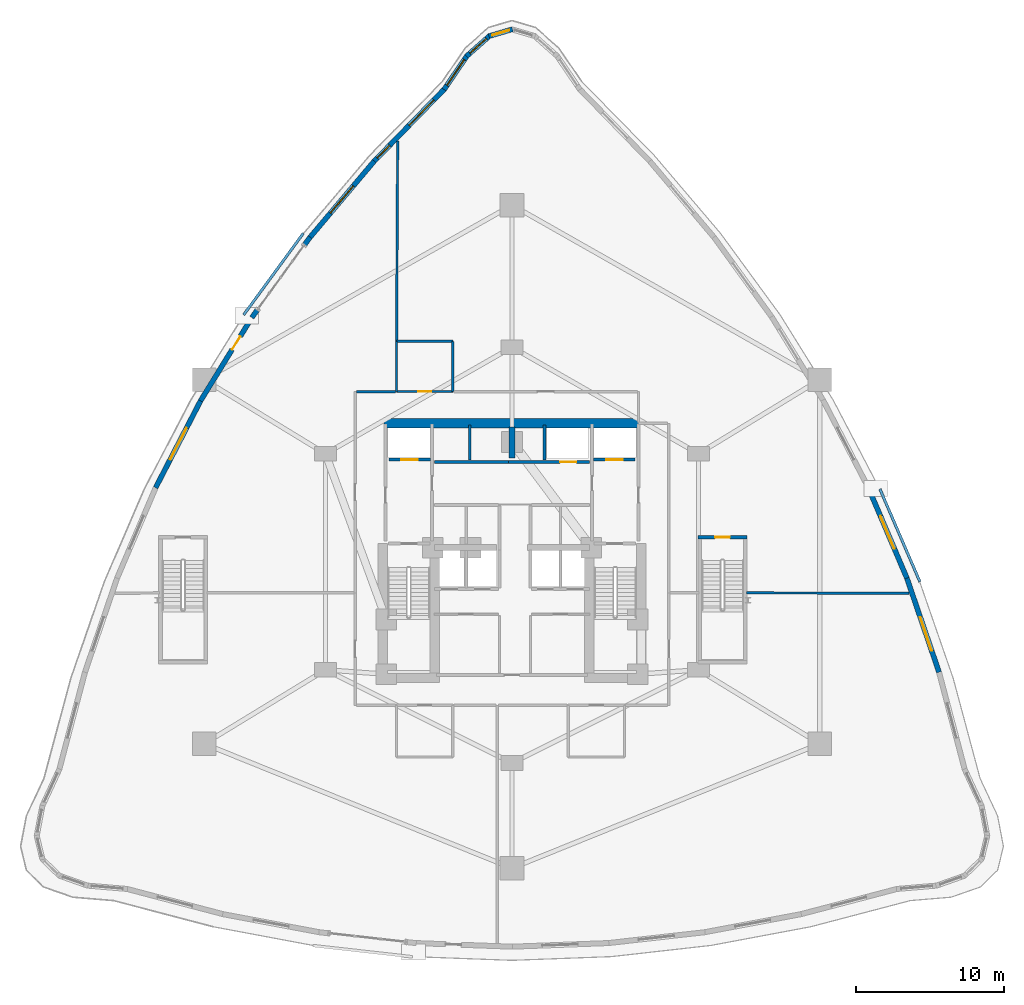
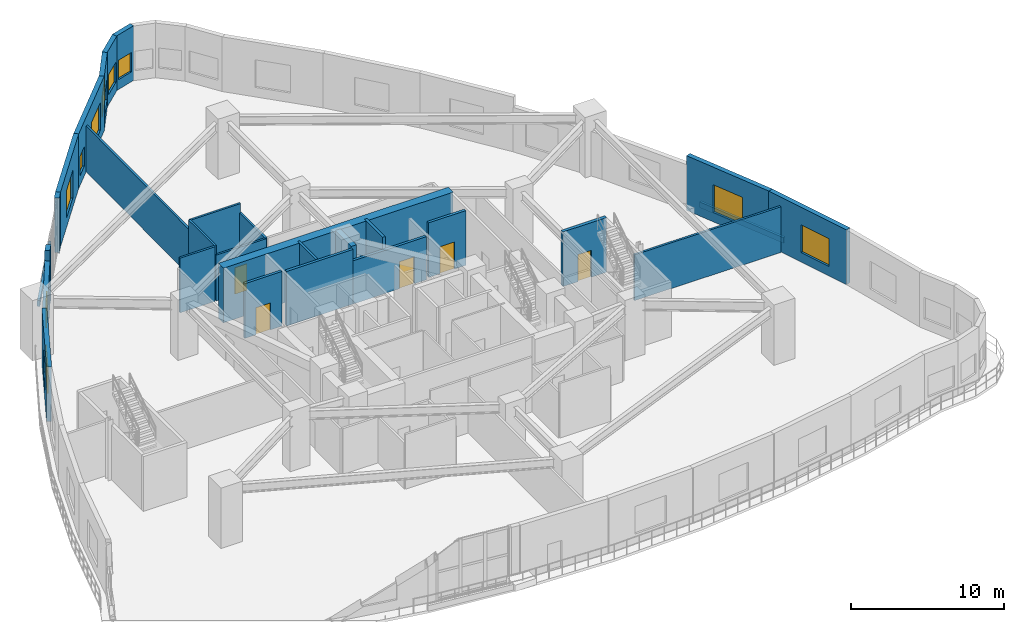
# One storey, part 14 of 19: 29 walls, 9 windows, 6 doors, 15 openings.
"""IFC4 building model written with IfcOpenShell, lengths in metres."""

from ifc_helpers import new_model, si_unit, direction, frame, frame_2d, origin, place, context, subcontext, project, spatial, rectangle, extrude, material, layer, layer_set, type_object, element, fill, save


model = new_model("IFC4")

# Units and contexts
model_context = context("Model", 3, precision=1e-05, world=origin(), true_north=direction((0.0, 1.0)))
body_context = subcontext(model_context, "Body", "Model", "MODEL_VIEW")
ifc_project = project(units=[si_unit("LENGTHUNIT", "METRE"), si_unit("AREAUNIT", "SQUARE_METRE"), si_unit("VOLUMEUNIT", "CUBIC_METRE"), si_unit("PLANEANGLEUNIT", "RADIAN"), si_unit("MASSUNIT", "GRAM", prefix="KILO")], contexts=[model_context])

# Site, building, storey
site_placement = place(None, origin())
site = spatial("IfcSite", under=ifc_project, at=site_placement, CompositionType="ELEMENT")
building_placement = place(site_placement, origin())
building = spatial("IfcBuilding", under=site, at=building_placement, Name="Miruveldt Soraemaru", CompositionType="ELEMENT")
storey_placement = place(building_placement, frame((0.0, 0.0, 19.199951171875)))
storey = spatial("IfcBuildingStorey", under=building, at=storey_placement, Name="L05", CompositionType="ELEMENT", Elevation=19.199951171875)

# Wall
ifc_material_1 = material(Name="Concrete C70/85 (70 MPa)", Category="concrete")
ifc_layer_1 = layer(ifc_material_1, 0.5, Name="Concrete C70/85 (70 MPa)", Category="concrete")
ifc_layer_set_1 = layer_set([ifc_layer_1], Name="Concrete C70/85 (70 MPa)")
wall_type_1 = type_object("IfcWallType", Name="WALL-BW-500", PredefinedType="SHEAR", material=ifc_layer_set_1)
wall_1_placement = place(storey_placement, frame((44.0, 50.10009765625, 0.0), z_axis=(0.0, 0.0, 1.0), x_axis=(0.0, 1.0, 0.0)))
element("IfcWall", 1, at=wall_1_placement, inside=storey, type_object=wall_type_1, Name="L05 Core Buttress Shear Wall BN", PredefinedType="SHEAR", context=body_context, shape_type="SweptSolid", body=[
    extrude(rectangle(XDim=2.099853515625, YDim=0.39990234375, at=frame_2d((1.0498046875, 0.0))), origin(), (0.0, 0.0, 1.0), 4.35009765625),
])

# Wall, opening, door
ifc_material_2 = material(Name="Concrete C50/60 (50 MPa)", Category="concrete")
ifc_layer_2 = layer(ifc_material_2, 0.419921875, Name="Concrete C50/60 (50 MPa)", Category="concrete")
ifc_layer_set_2 = layer_set([ifc_layer_2], Name="Concrete C50/60 (50 MPa)")
wall_type_2 = type_object("IfcWallType", Name="WALL-CW-420", PredefinedType="SHEAR", material=ifc_layer_set_2)
wall_2_placement = place(storey_placement, frame((56.580078125, 44.75, 0.0), z_axis=(0.0, 0.0, 1.0), x_axis=(1.0, 0.0, 0.0)))
wall_2 = element("IfcWall", 2, at=wall_2_placement, inside=storey, type_object=wall_type_2, Name="L05 Podium Garden Feature Stair ST-4 Structural Shaft Wall N", PredefinedType="SHEAR", context=body_context, shape_type="SweptSolid", body=[
    extrude(rectangle(XDim=3.2900390625, YDim=0.239990234375, at=frame_2d((1.64501953125, 0.0))), origin(), (0.0, 0.0, 1.0), 4.35009765625),
])
opening_1_placement = place(wall_2_placement, frame((1.14501953125, 0.0, 0.0)))
opening_1 = element("IfcOpeningElement", 3, at=opening_1_placement, cuts=wall_2, Name="Opening FD1", PredefinedType="OPENING", context=body_context, shape_type="SweptSolid", body=[
    extrude(rectangle(XDim=1.0, YDim=2.14990234375, at=frame_2d((0.5, 1.074951171875))), frame((0.0, 0.1298828125, 0.0), z_axis=(0.0, -1.0, 0.0), x_axis=(1.0, 0.0, 0.0)), (0.0, 0.0, 1.0), 0.260009765625),
])
ifc_material_3 = material(Name="Anodised aluminium EN AW-6063 T6", Category="aluminium")
door_type_1 = type_object("IfcDoorType", Name="DOOR-FD1-1000", OperationType="NOTDEFINED", PredefinedType="DOOR", material=ifc_material_3)
door_1_placement = place(opening_1_placement, frame((1.0, 0.0, 0.0), z_axis=(0.0, 0.0, 1.0), x_axis=(-1.0, 0.0, 0.0)))
door_1 = element("IfcDoor", 4, at=door_1_placement, inside=storey, type_object=door_type_1, Name="L05 Podium Garden Feature Stair ST-4 Fire Door", OperationType="SINGLE_SWING_LEFT", OverallHeight=2.14990234375, OverallWidth=1.0, PredefinedType="DOOR", context=body_context, shape_type="SweptSolid", body=[
    extrude(rectangle(XDim=1.0, YDim=2.14990234375, at=frame_2d((0.5, 1.074951171875))), frame((0.0, 0.02490234375, 0.0), z_axis=(0.0, -1.0, 0.0), x_axis=(1.0, 0.0, 0.0)), (0.0, 0.0, 1.0), 0.050048828125),
])
fill(opening_1, door_1)

# Wall
ifc_material_4 = material(Name="Concrete C80/95 (80 MPa)", Category="concrete")
ifc_layer_3 = layer(ifc_material_4, 0.64990234375, Name="Concrete C80/95 (80 MPa)", Category="concrete")
ifc_layer_set_3 = layer_set([ifc_layer_3], Name="Concrete C80/95 (80 MPa)")
wall_type_3 = type_object("IfcWallType", Name="WALL-CW-650", PredefinedType="SHEAR", material=ifc_layer_set_3)
wall_3_placement = place(storey_placement, frame((35.35009765625, 52.449951171875, 0.0), z_axis=(0.0, 0.0, 1.0), x_axis=(1.0, 0.0, 0.0)))
element("IfcWall", 5, at=wall_3_placement, inside=storey, type_object=wall_type_3, Name="L05 Central Core Shear Wall N", PredefinedType="SHEAR", context=body_context, shape_type="SweptSolid", body=[
    extrude(rectangle(XDim=17.2998046875, YDim=0.64990234375, at=frame_2d((8.64990234375, 0.0))), origin(), (0.0, 0.0, 1.0), 4.35009765625),
])

# Wall, opening, window
ifc_material_5 = material(Name="Precast concrete C45/55 (45 MPa)", Category="concrete")
ifc_layer_4 = layer(ifc_material_5, 0.340087890625, Name="Precast concrete C45/55 (45 MPa)", Category="concrete")
ifc_layer_set_4 = layer_set([ifc_layer_4], Name="Precast concrete C45/55 (45 MPa)")
wall_type_4 = type_object("IfcWallType", Name="WALL-EXT-PC340", PredefinedType="SOLIDWALL", material=ifc_layer_set_4)
wall_4_placement = place(storey_placement, frame((44.03369140625, 79.084228515625, 0.0), z_axis=(0.0, 0.0, 1.0), x_axis=(-0.959264639045, -0.282509030437, 0.0)))
wall_4 = element("IfcWall", 6, at=wall_4_placement, inside=storey, type_object=wall_type_4, Name="L05 Precast Concrete Facade Wall 4", PredefinedType="SOLIDWALL", context=body_context, shape_type="SweptSolid", body=[
    extrude(rectangle(XDim=1.658447265625, YDim=0.340087890625, at=frame_2d((0.8291015625, 0.0))), origin(), (0.0, 0.0, 1.0), 4.35009765625),
])
opening_2_placement = place(wall_4_placement, frame((0.22900390625, 0.0, 0.780029296875)))
opening_2 = element("IfcOpeningElement", 7, at=opening_2_placement, cuts=wall_4, Name="Opening WN-4", PredefinedType="OPENING", context=body_context, shape_type="SweptSolid", body=[
    extrude(rectangle(XDim=1.199951171875, YDim=1.550048828125, at=frame_2d((0.60009765625, 0.77490234375))), frame((0.0, 0.18017578125, 0.0), z_axis=(0.0, -1.0, 0.0), x_axis=(1.0, 0.0, 0.0)), (0.0, 0.0, 1.0), 0.360107421875),
])
ifc_material_6 = material(Name="Triple low-e insulated glazing", Category="glass")
window_type_1 = type_object("IfcWindowType", Name="WIN-PUNCH-1200x1550", PartitioningType="SINGLE_PANEL", PredefinedType="WINDOW", material=ifc_material_6)
window_1_placement = place(opening_2_placement, origin())
window_1 = element("IfcWindow", 8, at=window_1_placement, inside=storey, type_object=window_type_1, Name="L05 Punched Triple-Glazed Window 04.1", OverallHeight=1.550048828125, OverallWidth=1.199951171875, PartitioningType="SINGLE_PANEL", PredefinedType="WINDOW", context=body_context, shape_type="SweptSolid", body=[
    extrude(rectangle(XDim=1.199951171875, YDim=1.550048828125, at=frame_2d((0.60009765625, 0.77490234375))), frame((0.0, 0.030029296875, 0.0), z_axis=(0.0, -1.0, 0.0), x_axis=(1.0, 0.0, 0.0)), (0.0, 0.0, 1.0), 0.06005859375),
])
fill(opening_2, window_1)

wall_5_placement = place(storey_placement, frame((42.502685546875, 78.64892578125, 0.0), z_axis=(0.0, 0.0, 1.0), x_axis=(-0.749461691661, -0.662047711825, 0.0)))
wall_5 = element("IfcWall", 9, at=wall_5_placement, inside=storey, type_object=wall_type_4, Name="L05 Precast Concrete Facade Wall 5", PredefinedType="SOLIDWALL", context=body_context, shape_type="SweptSolid", body=[
    extrude(rectangle(XDim=2.10302734375, YDim=0.340087890625, at=frame_2d((1.051513671875, 0.0))), origin(), (0.0, 0.0, 1.0), 4.35009765625),
])
opening_3_placement = place(wall_5_placement, frame((0.302001953125, 0.0, 0.800048828125)))
opening_3 = element("IfcOpeningElement", 10, at=opening_3_placement, cuts=wall_5, Name="Opening WN-3", PredefinedType="OPENING", context=body_context, shape_type="SweptSolid", body=[
    extrude(rectangle(XDim=1.5, YDim=1.60009765625, at=frame_2d((0.75, 0.800048828125))), frame((0.0, 0.18017578125, 0.0), z_axis=(0.0, -1.0, 0.0), x_axis=(1.0, 0.0, 0.0)), (0.0, 0.0, 1.0), 0.360107421875),
])
window_type_2 = type_object("IfcWindowType", Name="WIN-PUNCH-1500x1600", PartitioningType="SINGLE_PANEL", PredefinedType="WINDOW", material=ifc_material_6)
window_2_placement = place(opening_3_placement, origin())
window_2 = element("IfcWindow", 11, at=window_2_placement, inside=storey, type_object=window_type_2, Name="L05 Punched Triple-Glazed Window 05.1", OverallHeight=1.60009765625, OverallWidth=1.5, PartitioningType="SINGLE_PANEL", PredefinedType="WINDOW", context=body_context, shape_type="SweptSolid", body=[
    extrude(rectangle(XDim=1.5, YDim=1.60009765625, at=frame_2d((0.75, 0.800048828125))), frame((0.0, 0.030029296875, 0.0), z_axis=(0.0, -1.0, 0.0), x_axis=(1.0, 0.0, 0.0)), (0.0, 0.0, 1.0), 0.06005859375),
])
fill(opening_3, window_2)

wall_6_placement = place(storey_placement, frame((40.972412109375, 77.308837890625, 0.0), z_axis=(0.0, 0.0, 1.0), x_axis=(-0.561889834633, -0.827212073011, 0.0)))
wall_6 = element("IfcWall", 12, at=wall_6_placement, inside=storey, type_object=wall_type_4, Name="L05 Precast Concrete Facade Wall 6", PredefinedType="SOLIDWALL", context=body_context, shape_type="SweptSolid", body=[
    extrude(rectangle(XDim=2.78173828125, YDim=0.340087890625, at=frame_2d((1.390869140625, 0.0))), origin(), (0.0, 0.0, 1.0), 4.35009765625),
])
opening_4_placement = place(wall_6_placement, frame((0.341064453125, 0.0, 0.800048828125)))
opening_4 = element("IfcOpeningElement", 13, at=opening_4_placement, cuts=wall_6, Name="Opening WN-1", PredefinedType="OPENING", context=body_context, shape_type="SweptSolid", body=[
    extrude(rectangle(XDim=2.10009765625, YDim=1.699951171875, at=frame_2d((1.050048828125, 0.85009765625))), frame((0.0, 0.18017578125, 0.0), z_axis=(0.0, -1.0, 0.0), x_axis=(1.0, 0.0, 0.0)), (0.0, 0.0, 1.0), 0.360107421875),
])
window_type_3 = type_object("IfcWindowType", Name="WIN-PUNCH-2100x1700", PartitioningType="SINGLE_PANEL", PredefinedType="WINDOW", material=ifc_material_6)
window_3_placement = place(opening_4_placement, origin())
window_3 = element("IfcWindow", 14, at=window_3_placement, inside=storey, type_object=window_type_3, Name="L05 Punched Triple-Glazed Window 06.1", OverallHeight=1.699951171875, OverallWidth=2.10009765625, PartitioningType="SINGLE_PANEL", PredefinedType="WINDOW", context=body_context, shape_type="SweptSolid", body=[
    extrude(rectangle(XDim=2.10009765625, YDim=1.699951171875, at=frame_2d((1.050048828125, 0.85009765625))), frame((0.0, 0.030029296875, 0.0), z_axis=(0.0, -1.0, 0.0), x_axis=(1.0, 0.0, 0.0)), (0.0, 0.0, 1.0), 0.06005859375),
])
fill(opening_4, window_3)

# Wall, openings, windows
wall_7_placement = place(storey_placement, frame((39.45361328125, 75.061767578125, 0.0), z_axis=(0.0, 0.0, 1.0), x_axis=(-0.697411972143, -0.716670455029, 0.0)))
wall_7 = element("IfcWall", 15, at=wall_7_placement, inside=storey, type_object=wall_type_4, Name="L05 Precast Concrete Facade Wall 7", PredefinedType="SOLIDWALL", context=body_context, shape_type="SweptSolid", body=[
    extrude(rectangle(XDim=6.896240234375, YDim=0.340087890625, at=frame_2d((3.4482421875, 0.0))), origin(), (0.0, 0.0, 1.0), 4.35009765625),
])
opening_5_placement = place(wall_7_placement, frame((1.052978515625, 0.0, 0.75)))
opening_5 = element("IfcOpeningElement", 16, at=opening_5_placement, cuts=wall_7, Name="Opening WN-5", PredefinedType="OPENING", context=body_context, shape_type="SweptSolid", body=[
    extrude(rectangle(XDim=2.39990234375, YDim=2.199951171875, at=frame_2d((1.199951171875, 1.10009765625))), frame((0.0, 0.18017578125, 0.0), z_axis=(0.0, -1.0, 0.0), x_axis=(1.0, 0.0, 0.0)), (0.0, 0.0, 1.0), 0.360107421875),
])
opening_6_placement = place(wall_7_placement, frame((5.341064453125, 0.0, 0.780029296875)))
opening_6 = element("IfcOpeningElement", 17, at=opening_6_placement, cuts=wall_7, Name="Opening WN-4", PredefinedType="OPENING", context=body_context, shape_type="SweptSolid", body=[
    extrude(rectangle(XDim=1.199951171875, YDim=1.550048828125, at=frame_2d((0.60009765625, 0.77490234375))), frame((0.0, 0.18017578125, 0.0), z_axis=(0.0, -1.0, 0.0), x_axis=(1.0, 0.0, 0.0)), (0.0, 0.0, 1.0), 0.360107421875),
])
window_type_4 = type_object("IfcWindowType", Name="WIN-PODM-2400x2200", PartitioningType="SINGLE_PANEL", PredefinedType="WINDOW", material=ifc_material_6)
window_4_placement = place(opening_5_placement, origin())
window_4 = element("IfcWindow", 18, at=window_4_placement, inside=storey, type_object=window_type_4, Name="L05 Punched Triple-Glazed Window 07.1", OverallHeight=2.199951171875, OverallWidth=2.39990234375, PartitioningType="SINGLE_PANEL", PredefinedType="WINDOW", context=body_context, shape_type="SweptSolid", body=[
    extrude(rectangle(XDim=2.39990234375, YDim=2.199951171875, at=frame_2d((1.199951171875, 1.10009765625))), frame((0.0, 0.030029296875, 0.0), z_axis=(0.0, -1.0, 0.0), x_axis=(1.0, 0.0, 0.0)), (0.0, 0.0, 1.0), 0.06005859375),
])
fill(opening_5, window_4)
window_5_placement = place(opening_6_placement, origin())
window_5 = element("IfcWindow", 19, at=window_5_placement, inside=storey, type_object=window_type_1, Name="L05 Punched Triple-Glazed Window 07.2", OverallHeight=1.550048828125, OverallWidth=1.199951171875, PartitioningType="SINGLE_PANEL", PredefinedType="WINDOW", context=body_context, shape_type="SweptSolid", body=[
    extrude(rectangle(XDim=1.199951171875, YDim=1.550048828125, at=frame_2d((0.60009765625, 0.77490234375))), frame((0.0, 0.030029296875, 0.0), z_axis=(0.0, -1.0, 0.0), x_axis=(1.0, 0.0, 0.0)), (0.0, 0.0, 1.0), 0.06005859375),
])
fill(opening_6, window_5)

# Wall, opening, window
wall_8_placement = place(storey_placement, frame((34.691162109375, 70.17138671875, 0.0), z_axis=(0.0, 0.0, 1.0), x_axis=(-0.64454325071, -0.764567850465, 0.0)))
wall_8 = element("IfcWall", 20, at=wall_8_placement, inside=storey, type_object=wall_type_4, Name="L05 Precast Concrete Facade Wall 8", PredefinedType="SOLIDWALL", context=body_context, shape_type="SweptSolid", body=[
    extrude(rectangle(XDim=6.787841796875, YDim=0.340087890625, at=frame_2d((3.39404296875, 0.0))), origin(), (0.0, 0.0, 1.0), 4.35009765625),
])
opening_7_placement = place(wall_8_placement, frame((2.194091796875, 0.0, 0.75)))
opening_7 = element("IfcOpeningElement", 21, at=opening_7_placement, cuts=wall_8, Name="Opening WN-5", PredefinedType="OPENING", context=body_context, shape_type="SweptSolid", body=[
    extrude(rectangle(XDim=2.39990234375, YDim=2.199951171875, at=frame_2d((1.199951171875, 1.10009765625))), frame((0.0, 0.18017578125, 0.0), z_axis=(0.0, -1.0, 0.0), x_axis=(1.0, 0.0, 0.0)), (0.0, 0.0, 1.0), 0.360107421875),
])
window_6_placement = place(opening_7_placement, origin())
window_6 = element("IfcWindow", 22, at=window_6_placement, inside=storey, type_object=window_type_4, Name="L05 Punched Triple-Glazed Window 08.1", OverallHeight=2.199951171875, OverallWidth=2.39990234375, PartitioningType="SINGLE_PANEL", PredefinedType="WINDOW", context=body_context, shape_type="SweptSolid", body=[
    extrude(rectangle(XDim=2.39990234375, YDim=2.199951171875, at=frame_2d((1.199951171875, 1.10009765625))), frame((0.0, 0.030029296875, 0.0), z_axis=(0.0, -1.0, 0.0), x_axis=(1.0, 0.0, 0.0)), (0.0, 0.0, 1.0), 0.06005859375),
])
fill(opening_7, window_6)

# Walls
wall_9_placement = place(storey_placement, frame((30.359130859375, 65.03662109375, 0.0), z_axis=(0.0, 0.0, 1.0), x_axis=(-0.586729168236, -0.809783232193, 0.0)))
element("IfcWall", 23, at=wall_9_placement, inside=storey, type_object=wall_type_4, Name="L05 Precast Pier Left 9", PredefinedType="SOLIDWALL", context=body_context, shape_type="SweptSolid", body=[
    extrude(rectangle(XDim=0.704833984375, YDim=0.340087890625, at=frame_2d((0.3525390625, 0.0))), origin(), (0.0, 0.0, 1.0), 4.35009765625),
])
wall_10_placement = place(storey_placement, frame((26.833251953125, 60.1708984375, 0.0), z_axis=(0.0, 0.0, 1.0), x_axis=(-0.586956222387, -0.809618671352, 0.0)))
element("IfcWall", 24, at=wall_10_placement, inside=storey, type_object=wall_type_4, Name="L05 Precast Pier Right 9", PredefinedType="SOLIDWALL", context=body_context, shape_type="SweptSolid", body=[
    extrude(rectangle(XDim=0.705078125, YDim=0.340087890625, at=frame_2d((0.3525390625, 0.0))), origin(), (0.0, 0.0, 1.0), 4.35009765625),
])

# Wall, opening, door
wall_11_placement = place(storey_placement, frame((26.45849609375, 59.658203125, 0.0), z_axis=(0.0, 0.0, 1.0), x_axis=(-0.524888702996, -0.851170869724, 0.0)))
wall_11 = element("IfcWall", 25, at=wall_11_placement, inside=storey, type_object=wall_type_4, Name="L05 Precast Concrete Facade Wall 10", PredefinedType="SOLIDWALL", context=body_context, shape_type="SweptSolid", body=[
    extrude(rectangle(XDim=6.677490234375, YDim=0.340087890625, at=frame_2d((3.3388671875, 0.0))), origin(), (0.0, 0.0, 1.0), 3.5380859375),
])
opening_8_placement = place(wall_11_placement, frame((1.56689453125, 0.0, 0.0)))
opening_8 = element("IfcOpeningElement", 26, at=opening_8_placement, cuts=wall_11, Name="Opening TD-1", PredefinedType="OPENING", context=body_context, shape_type="SweptSolid", body=[
    extrude(rectangle(XDim=1.050048828125, YDim=2.14990234375, at=frame_2d((0.52490234375, 1.074951171875))), frame((0.0, 0.18017578125, 0.0), z_axis=(0.0, -1.0, 0.0), x_axis=(1.0, 0.0, 0.0)), (0.0, 0.0, 1.0), 0.360107421875),
])
door_type_2 = type_object("IfcDoorType", Name="DOOR-TER-1050", OperationType="NOTDEFINED", PredefinedType="DOOR", material=ifc_material_3)
door_2_placement = place(opening_8_placement, frame((1.050048828125, 0.0, 0.0), z_axis=(0.0, 0.0, 1.0), x_axis=(-1.0, 0.0, 0.0)))
door_2 = element("IfcDoor", 27, at=door_2_placement, inside=storey, type_object=door_type_2, Name="L05 Terrace Access Glazed Door 10", OperationType="SINGLE_SWING_RIGHT", OverallHeight=2.14990234375, OverallWidth=1.050048828125, PredefinedType="DOOR", context=body_context, shape_type="SweptSolid", body=[
    extrude(rectangle(XDim=1.050048828125, YDim=2.14990234375, at=frame_2d((0.52490234375, 1.074951171875))), frame((0.0, 0.02490234375, 0.0), z_axis=(0.0, -1.0, 0.0), x_axis=(1.0, 0.0, 0.0)), (0.0, 0.0, 1.0), 0.050048828125),
])
fill(opening_8, door_2)

# Wall, opening, window
wall_12_placement = place(storey_placement, frame((22.98828125, 54.035400390625, 0.0), z_axis=(0.0, 0.0, 1.0), x_axis=(-0.459645718279, -0.88810236666, 0.0)))
wall_12 = element("IfcWall", 28, at=wall_12_placement, inside=storey, type_object=wall_type_4, Name="L05 Precast Concrete Facade Wall 11", PredefinedType="SOLIDWALL", context=body_context, shape_type="SweptSolid", body=[
    extrude(rectangle(XDim=6.677001953125, YDim=0.340087890625, at=frame_2d((3.33837890625, 0.0))), origin(), (0.0, 0.0, 1.0), 4.35009765625),
])
opening_9_placement = place(wall_12_placement, frame((2.137939453125, 0.0, 0.75)))
opening_9 = element("IfcOpeningElement", 29, at=opening_9_placement, cuts=wall_12, Name="Opening WN-5", PredefinedType="OPENING", context=body_context, shape_type="SweptSolid", body=[
    extrude(rectangle(XDim=2.39990234375, YDim=2.199951171875, at=frame_2d((1.199951171875, 1.10009765625))), frame((0.0, 0.18017578125, 0.0), z_axis=(0.0, -1.0, 0.0), x_axis=(1.0, 0.0, 0.0)), (0.0, 0.0, 1.0), 0.360107421875),
])
window_7_placement = place(opening_9_placement, origin())
window_7 = element("IfcWindow", 30, at=window_7_placement, inside=storey, type_object=window_type_4, Name="L05 Punched Triple-Glazed Window 11.1", OverallHeight=2.199951171875, OverallWidth=2.39990234375, PartitioningType="SINGLE_PANEL", PredefinedType="WINDOW", context=body_context, shape_type="SweptSolid", body=[
    extrude(rectangle(XDim=2.39990234375, YDim=2.199951171875, at=frame_2d((1.199951171875, 1.10009765625))), frame((0.0, 0.030029296875, 0.0), z_axis=(0.0, -1.0, 0.0), x_axis=(1.0, 0.0, 0.0)), (0.0, 0.0, 1.0), 0.06005859375),
])
fill(opening_9, window_7)

wall_13_placement = place(storey_placement, frame((72.85693359375, 35.635986328125, 0.0), z_axis=(0.0, 0.0, 1.0), x_axis=(-0.323760553486, 0.946139051095, 0.0)))
wall_13 = element("IfcWall", 31, at=wall_13_placement, inside=storey, type_object=wall_type_4, Name="L05 Precast Concrete Facade Wall 36", PredefinedType="SOLIDWALL", context=body_context, shape_type="SweptSolid", body=[
    extrude(rectangle(XDim=6.787353515625, YDim=0.340087890625, at=frame_2d((3.3935546875, 0.0))), origin(), (0.0, 0.0, 1.0), 4.35009765625),
])
opening_10_placement = place(wall_13_placement, frame((1.528076171875, 0.0, 0.75)))
opening_10 = element("IfcOpeningElement", 32, at=opening_10_placement, cuts=wall_13, Name="Opening WN-5", PredefinedType="OPENING", context=body_context, shape_type="SweptSolid", body=[
    extrude(rectangle(XDim=2.39990234375, YDim=2.199951171875, at=frame_2d((1.199951171875, 1.10009765625))), frame((0.0, 0.18017578125, 0.0), z_axis=(0.0, -1.0, 0.0), x_axis=(1.0, 0.0, 0.0)), (0.0, 0.0, 1.0), 0.360107421875),
])
window_8_placement = place(opening_10_placement, origin())
window_8 = element("IfcWindow", 33, at=window_8_placement, inside=storey, type_object=window_type_4, Name="L05 Punched Triple-Glazed Window 36.1", OverallHeight=2.199951171875, OverallWidth=2.39990234375, PartitioningType="SINGLE_PANEL", PredefinedType="WINDOW", context=body_context, shape_type="SweptSolid", body=[
    extrude(rectangle(XDim=2.39990234375, YDim=2.199951171875, at=frame_2d((1.199951171875, 1.10009765625))), frame((0.0, 0.030029296875, 0.0), z_axis=(0.0, -1.0, 0.0), x_axis=(1.0, 0.0, 0.0)), (0.0, 0.0, 1.0), 0.06005859375),
])
fill(opening_10, window_8)

wall_14_placement = place(storey_placement, frame((70.684326171875, 41.992431640625, 0.0), z_axis=(0.0, 0.0, 1.0), x_axis=(-0.392198319583, 0.919880686892, 0.0)))
wall_14 = element("IfcWall", 34, at=wall_14_placement, inside=storey, type_object=wall_type_4, Name="L05 Precast Concrete Facade Wall 37", PredefinedType="SOLIDWALL", context=body_context, shape_type="SweptSolid", body=[
    extrude(rectangle(XDim=6.714111328125, YDim=0.340087890625, at=frame_2d((3.35693359375, 0.0))), origin(), (0.0, 0.0, 1.0), 4.35009765625),
])
opening_11_placement = place(wall_14_placement, frame((2.156982421875, 0.0, 0.75)))
opening_11 = element("IfcOpeningElement", 35, at=opening_11_placement, cuts=wall_14, Name="Opening WN-5", PredefinedType="OPENING", context=body_context, shape_type="SweptSolid", body=[
    extrude(rectangle(XDim=2.39990234375, YDim=2.199951171875, at=frame_2d((1.199951171875, 1.10009765625))), frame((0.0, 0.18017578125, 0.0), z_axis=(0.0, -1.0, 0.0), x_axis=(1.0, 0.0, 0.0)), (0.0, 0.0, 1.0), 0.360107421875),
])
window_9_placement = place(opening_11_placement, origin())
window_9 = element("IfcWindow", 36, at=window_9_placement, inside=storey, type_object=window_type_4, Name="L05 Punched Triple-Glazed Window 37.1", OverallHeight=2.199951171875, OverallWidth=2.39990234375, PartitioningType="SINGLE_PANEL", PredefinedType="WINDOW", context=body_context, shape_type="SweptSolid", body=[
    extrude(rectangle(XDim=2.39990234375, YDim=2.199951171875, at=frame_2d((1.199951171875, 1.10009765625))), frame((0.0, 0.030029296875, 0.0), z_axis=(0.0, -1.0, 0.0), x_axis=(1.0, 0.0, 0.0)), (0.0, 0.0, 1.0), 0.06005859375),
])
fill(opening_11, window_9)

# Wall, opening, door
ifc_material_7 = material(Name="Gypsum plasterboard lining", Category="gypsum")
ifc_layer_5 = layer(ifc_material_7, 0.14990234375, Name="Gypsum plasterboard lining", Category="gypsum")
ifc_layer_set_5 = layer_set([ifc_layer_5], Name="Gypsum plasterboard lining")
wall_type_5 = type_object("IfcWallType", Name="WALL-INT-PLUMB", PredefinedType="PLUMBINGWALL", material=ifc_layer_set_5)
wall_15_placement = place(storey_placement, frame((40.0, 54.60009765625, 0.0), z_axis=(0.0, 0.0, 1.0), x_axis=(-1.0, 0.0, 0.0)))
wall_15 = element("IfcWall", 37, at=wall_15_placement, inside=storey, type_object=wall_type_5, Name="L05 Partition Wall 1", PredefinedType="PLUMBINGWALL", context=body_context, shape_type="SweptSolid", body=[
    extrude(rectangle(XDim=3.800048828125, YDim=0.14990234375, at=frame_2d((1.89990234375, 0.0))), origin(), (0.0, 0.0, 1.0), 3.637939453125),
])
opening_12_placement = place(wall_15_placement, frame((1.449951171875, 0.0, 0.0)))
opening_12 = element("IfcOpeningElement", 38, at=opening_12_placement, cuts=wall_15, Name="Opening D3", PredefinedType="OPENING", context=body_context, shape_type="SweptSolid", body=[
    extrude(rectangle(XDim=0.89990234375, YDim=2.10009765625, at=frame_2d((0.449951171875, 1.050048828125))), frame((0.0, 0.0849609375, 0.0), z_axis=(0.0, -1.0, 0.0), x_axis=(1.0, 0.0, 0.0)), (0.0, 0.0, 1.0), 0.169921875),
])
door_type_3 = type_object("IfcDoorType", Name="DOOR-INT-900", OperationType="NOTDEFINED", PredefinedType="DOOR", material=ifc_material_3)
door_3_placement = place(opening_12_placement, origin())
door_3 = element("IfcDoor", 39, at=door_3_placement, inside=storey, type_object=door_type_3, Name="L05 Public Male Restroom Door", OperationType="SINGLE_SWING_LEFT", OverallHeight=2.10009765625, OverallWidth=0.89990234375, PredefinedType="DOOR", context=body_context, shape_type="SweptSolid", body=[
    extrude(rectangle(XDim=0.89990234375, YDim=2.10009765625, at=frame_2d((0.449951171875, 1.050048828125))), frame((0.0, 0.02490234375, 0.0), z_axis=(0.0, -1.0, 0.0), x_axis=(1.0, 0.0, 0.0)), (0.0, 0.0, 1.0), 0.050048828125),
])
fill(opening_12, door_3)

# Walls
wall_16_placement = place(storey_placement, frame((40.0, 58.0, 0.0), z_axis=(0.0, 0.0, 1.0), x_axis=(-1.0, 0.0, 0.0)))
element("IfcWall", 40, at=wall_16_placement, inside=storey, type_object=wall_type_5, Name="L05 Partition Wall 18", PredefinedType="PLUMBINGWALL", context=body_context, shape_type="SweptSolid", body=[
    extrude(rectangle(XDim=3.800048828125, YDim=0.14990234375, at=frame_2d((1.89990234375, 0.0))), origin(), (0.0, 0.0, 1.0), 4.35009765625),
])
wall_17_placement = place(storey_placement, frame((36.199951171875, 58.0, 0.0), z_axis=(0.0, 0.0, 1.0), x_axis=(0.0, -1.0, 0.0)))
element("IfcWall", 41, at=wall_17_placement, inside=storey, type_object=wall_type_5, Name="L05 Partition Wall 16", PredefinedType="PLUMBINGWALL", context=body_context, shape_type="SweptSolid", body=[
    extrude(rectangle(XDim=3.39990234375, YDim=0.14990234375, at=frame_2d((1.699951171875, 0.0))), origin(), (0.0, 0.0, 1.0), 4.35009765625),
])
wall_18_placement = place(storey_placement, frame((40.0, 54.60009765625, 0.0), z_axis=(0.0, 0.0, 1.0), x_axis=(0.0, 1.0, 0.0)))
element("IfcWall", 42, at=wall_18_placement, inside=storey, type_object=wall_type_5, Name="L05 Partition Wall 17", PredefinedType="PLUMBINGWALL", context=body_context, shape_type="SweptSolid", body=[
    extrude(rectangle(XDim=3.39990234375, YDim=0.14990234375, at=frame_2d((1.699951171875, 0.0))), origin(), (0.0, 0.0, 1.0), 3.637939453125),
])
ifc_material_8 = material(Name="Concrete C40/50 (40 MPa)", Category="concrete")
ifc_layer_6 = layer(ifc_material_8, 0.159912109375, Name="Concrete C40/50 (40 MPa)", Category="concrete")
ifc_layer_set_6 = layer_set([ifc_layer_6], Name="Concrete C40/50 (40 MPa)")
wall_type_6 = type_object("IfcWallType", Name="WALL-INT-RC160", PredefinedType="SOLIDWALL", material=ifc_layer_set_6)
wall_19_placement = place(storey_placement, frame((36.199951171875, 58.0, 0.0), z_axis=(0.0, 0.0, 1.0), x_axis=(0.005539131593, 0.999984658893, 0.0)))
element("IfcWall", 43, at=wall_19_placement, inside=storey, type_object=wall_type_6, Name="L05 Partition Wall 30", PredefinedType="SOLIDWALL", context=body_context, shape_type="SweptSolid", body=[
    extrude(rectangle(XDim=13.53125, YDim=0.159912109375, at=frame_2d((6.765625, 0.0))), origin(), (0.0, 0.0, 1.0), 3.637939453125),
])
wall_20_placement = place(storey_placement, frame((70.8369140625, 40.966064453125, 0.0), z_axis=(0.0, 0.0, 1.0), x_axis=(-0.999995247177, 0.003083119052, 0.0)))
element("IfcWall", 44, at=wall_20_placement, inside=storey, type_object=wall_type_6, Name="L05 Partition Wall 28", PredefinedType="SOLIDWALL", context=body_context, shape_type="SweptSolid", body=[
    extrude(rectangle(XDim=11.0068359375, YDim=0.159912109375, at=frame_2d((5.50341796875, 0.0))), origin(), (0.0, 0.0, 1.0), 3.637939453125),
])
wall_21_placement = place(storey_placement, frame((36.1201171875, 54.60009765625, 0.0), z_axis=(0.0, 0.0, 1.0), x_axis=(-1.0, 0.0, 0.0)))
element("IfcWall", 45, at=wall_21_placement, inside=storey, type_object=wall_type_6, Name="L05 Partition Wall 10", PredefinedType="SOLIDWALL", context=body_context, shape_type="SweptSolid", body=[
    extrude(rectangle(XDim=2.64013671875, YDim=0.159912109375, at=frame_2d((1.320068359375, 0.0))), origin(), (0.0, 0.0, 1.0), 4.35009765625),
])
wall_22_placement = place(storey_placement, frame((41.14990234375, 49.97998046875, 0.0), z_axis=(0.0, 0.0, 1.0), x_axis=(0.0, 1.0, 0.0)))
element("IfcWall", 46, at=wall_22_placement, inside=storey, type_object=wall_type_6, Name="L05 Core Compartment Wall PLH-DIV1", PredefinedType="SOLIDWALL", context=body_context, shape_type="SweptSolid", body=[
    extrude(rectangle(XDim=2.3701171875, YDim=0.159912109375, at=frame_2d((1.18505859375, 0.0))), origin(), (0.0, 0.0, 1.0), 4.35009765625),
])

# Wall, opening, door
ifc_layer_7 = layer(ifc_material_8, 0.199951171875, Name="Concrete C40/50 (40 MPa)", Category="concrete")
ifc_layer_set_7 = layer_set([ifc_layer_7], Name="Concrete C40/50 (40 MPa)")
wall_type_7 = type_object("IfcWallType", Name="WALL-INT-RC200", PredefinedType="SOLIDWALL", material=ifc_layer_set_7)
wall_23_placement = place(storey_placement, frame((43.75, 49.85009765625, 0.0), z_axis=(0.0, 0.0, 1.0), x_axis=(1.0, 0.0, 0.0)))
wall_23 = element("IfcWall", 47, at=wall_23_placement, inside=storey, type_object=wall_type_7, Name="L05 Core Compartment Wall ROWA-SE", PredefinedType="SOLIDWALL", context=body_context, shape_type="SweptSolid", body=[
    extrude(rectangle(XDim=5.5, YDim=0.199951171875, at=frame_2d((2.75, 0.0))), origin(), (0.0, 0.0, 1.0), 3.43798828125),
])
opening_13_placement = place(wall_23_placement, frame((3.5, 0.0, 0.0)))
opening_13 = element("IfcOpeningElement", 48, at=opening_13_placement, cuts=wall_23, Name="Opening LD2", PredefinedType="OPENING", context=body_context, shape_type="SweptSolid", body=[
    extrude(rectangle(XDim=1.10009765625, YDim=2.14990234375, at=frame_2d((0.550048828125, 1.074951171875))), frame((0.0, 0.10986328125, 0.0), z_axis=(0.0, -1.0, 0.0), x_axis=(1.0, 0.0, 0.0)), (0.0, 0.0, 1.0), 0.219970703125),
])
door_type_4 = type_object("IfcDoorType", Name="DOOR-LD2-1100", OperationType="SLIDING_TO_LEFT", PredefinedType="DOOR", material=ifc_material_3)
door_4_placement = place(opening_13_placement, origin())
door_4 = element("IfcDoor", 49, at=door_4_placement, inside=storey, type_object=door_type_4, Name="L05 SL-1 Landing Door", OperationType="SLIDING_TO_LEFT", OverallHeight=2.14990234375, OverallWidth=1.10009765625, PredefinedType="DOOR", context=body_context, shape_type="SweptSolid", body=[
    extrude(rectangle(XDim=1.10009765625, YDim=2.14990234375, at=frame_2d((0.550048828125, 1.074951171875))), frame((0.0, 0.02490234375, 0.0), z_axis=(0.0, -1.0, 0.0), x_axis=(1.0, 0.0, 0.0)), (0.0, 0.0, 1.0), 0.050048828125),
])
fill(opening_13, door_4)

wall_24_placement = place(storey_placement, frame((35.679931640625, 50.0, 0.0), z_axis=(0.0, 0.0, 1.0), x_axis=(1.0, 0.0, 0.0)))
wall_24 = element("IfcWall", 50, at=wall_24_placement, inside=storey, type_object=wall_type_7, Name="L05 Core Compartment Wall FFL1-S", PredefinedType="SOLIDWALL", context=body_context, shape_type="SweptSolid", body=[
    extrude(rectangle(XDim=2.800048828125, YDim=0.199951171875, at=frame_2d((1.39990234375, 0.0))), origin(), (0.0, 0.0, 1.0), 4.35009765625),
])
opening_14_placement = place(wall_24_placement, frame((0.85009765625, 0.0, 0.0)))
opening_14 = element("IfcOpeningElement", 51, at=opening_14_placement, cuts=wall_24, Name="Opening LD2", PredefinedType="OPENING", context=body_context, shape_type="SweptSolid", body=[
    extrude(rectangle(XDim=1.10009765625, YDim=2.14990234375, at=frame_2d((0.550048828125, 1.074951171875))), frame((0.0, 0.10986328125, 0.0), z_axis=(0.0, -1.0, 0.0), x_axis=(1.0, 0.0, 0.0)), (0.0, 0.0, 1.0), 0.219970703125),
])
door_5_placement = place(opening_14_placement, origin())
door_5 = element("IfcDoor", 52, at=door_5_placement, inside=storey, type_object=door_type_4, Name="L05 FFL-1 Landing Door", OperationType="SLIDING_TO_LEFT", OverallHeight=2.14990234375, OverallWidth=1.10009765625, PredefinedType="DOOR", context=body_context, shape_type="SweptSolid", body=[
    extrude(rectangle(XDim=1.10009765625, YDim=2.14990234375, at=frame_2d((0.550048828125, 1.074951171875))), frame((0.0, 0.02490234375, 0.0), z_axis=(0.0, -1.0, 0.0), x_axis=(1.0, 0.0, 0.0)), (0.0, 0.0, 1.0), 0.050048828125),
])
fill(opening_14, door_5)

wall_25_placement = place(storey_placement, frame((49.52001953125, 50.0, 0.0), z_axis=(0.0, 0.0, 1.0), x_axis=(1.0, 0.0, 0.0)))
wall_25 = element("IfcWall", 53, at=wall_25_placement, inside=storey, type_object=wall_type_7, Name="L05 Core Compartment Wall FFL2-S", PredefinedType="SOLIDWALL", context=body_context, shape_type="SweptSolid", body=[
    extrude(rectangle(XDim=2.800048828125, YDim=0.199951171875, at=frame_2d((1.39990234375, 0.0))), origin(), (0.0, 0.0, 1.0), 4.35009765625),
])
opening_15_placement = place(wall_25_placement, frame((0.85009765625, 0.0, 0.0)))
opening_15 = element("IfcOpeningElement", 54, at=opening_15_placement, cuts=wall_25, Name="Opening LD2", PredefinedType="OPENING", context=body_context, shape_type="SweptSolid", body=[
    extrude(rectangle(XDim=1.10009765625, YDim=2.14990234375, at=frame_2d((0.550048828125, 1.074951171875))), frame((0.0, 0.10986328125, 0.0), z_axis=(0.0, -1.0, 0.0), x_axis=(1.0, 0.0, 0.0)), (0.0, 0.0, 1.0), 0.219970703125),
])
door_6_placement = place(opening_15_placement, origin())
door_6 = element("IfcDoor", 55, at=door_6_placement, inside=storey, type_object=door_type_4, Name="L05 FFL-2 Landing Door", OperationType="SLIDING_TO_LEFT", OverallHeight=2.14990234375, OverallWidth=1.10009765625, PredefinedType="DOOR", context=body_context, shape_type="SweptSolid", body=[
    extrude(rectangle(XDim=1.10009765625, YDim=2.14990234375, at=frame_2d((0.550048828125, 1.074951171875))), frame((0.0, 0.02490234375, 0.0), z_axis=(0.0, -1.0, 0.0), x_axis=(1.0, 0.0, 0.0)), (0.0, 0.0, 1.0), 0.050048828125),
])
fill(opening_15, door_6)

# Walls
wall_26_placement = place(storey_placement, frame((38.75, 49.85009765625, 0.0), z_axis=(0.0, 0.0, 1.0), x_axis=(1.0, 0.0, 0.0)))
element("IfcWall", 56, at=wall_26_placement, inside=storey, type_object=wall_type_7, Name="L05 Core Compartment Wall ROWA-SW", PredefinedType="SOLIDWALL", context=body_context, shape_type="SweptSolid", body=[
    extrude(rectangle(XDim=5.0, YDim=0.199951171875, at=frame_2d((2.5, 0.0))), origin(), (0.0, 0.0, 1.0), 4.35009765625),
])
wall_27_placement = place(storey_placement, frame((46.199951171875, 49.97998046875, 0.0), z_axis=(0.0, 0.0, 1.0), x_axis=(0.0, 1.0, 0.0)))
element("IfcWall", 57, at=wall_27_placement, inside=storey, type_object=wall_type_7, Name="L05 Core Compartment Wall PLH-SL-DIV", PredefinedType="SOLIDWALL", context=body_context, shape_type="SweptSolid", body=[
    extrude(rectangle(XDim=2.3701171875, YDim=0.199951171875, at=frame_2d((1.18505859375, 0.0))), origin(), (0.0, 0.0, 1.0), 4.35009765625),
])
ifc_layer_8 = layer(ifc_material_5, 0.179931640625, Name="Precast concrete C45/55 (45 MPa)", Category="concrete")
ifc_layer_set_8 = layer_set([ifc_layer_8], Name="Precast concrete C45/55 (45 MPa)")
wall_type_8 = type_object("IfcWallType", Name="WALL-PAR-180", PredefinedType="PARAPET", material=ifc_layer_set_8)
for number, where, z_axis, x_axis, name in (
    (58, (29.893798828125, 65.29052734375, 0.0), (0.0, 0.0, 1.0), (-0.590210373126, -0.807249475351, 0.0), "L05 Terrace Upstand Parapet 8"),
    (59, (71.564208984375, 41.74755859375, 0.0), (0.0, 0.0, 1.0), (-0.396116550167, 0.918200238882, 0.0), "L05 Terrace Upstand Parapet 36"),
):
    element("IfcWall", number, at=place(storey_placement, frame(where, z_axis=z_axis, x_axis=x_axis)), inside=storey, type_object=wall_type_8, Name=name, PredefinedType="PARAPET", context=body_context, shape_type="SweptSolid", body=[
        extrude(rectangle(XDim=6.822265625, YDim=0.179931640625, at=frame_2d((3.4111328125, 0.0))), origin(), (0.0, 0.0, 1.0), 0.449951171875),
    ])

save(model, "model.ifc")
